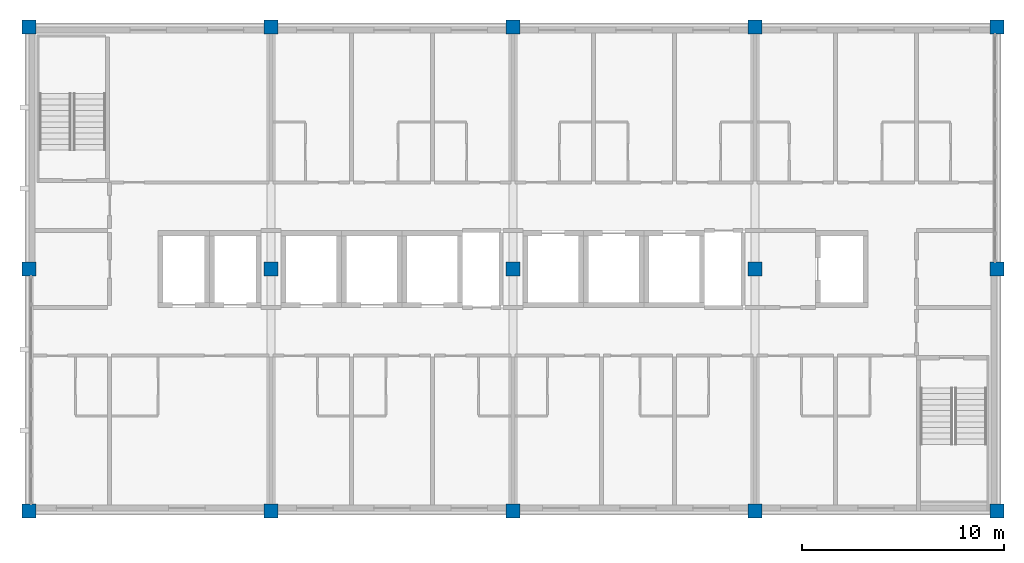
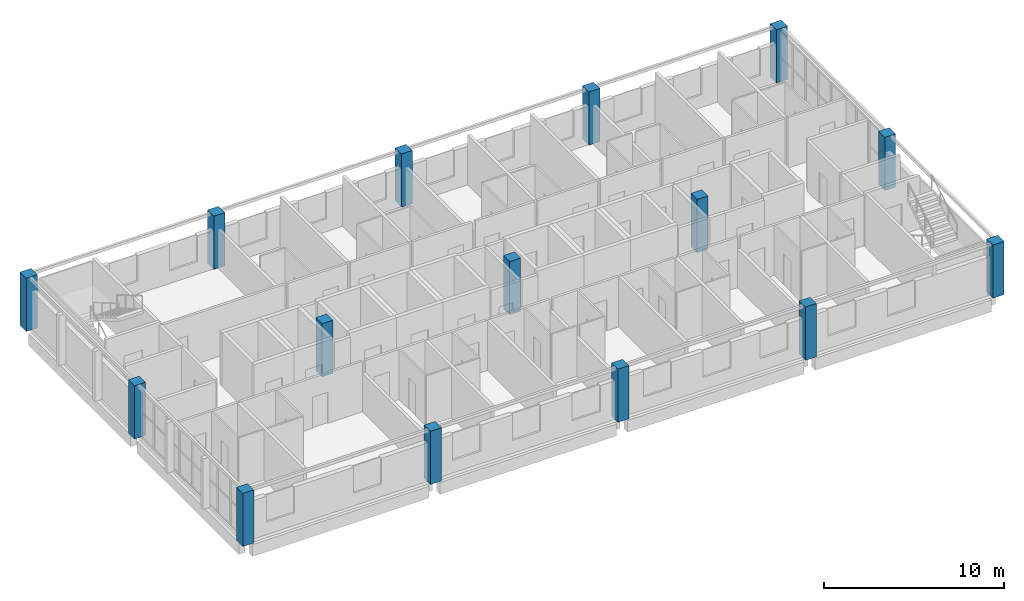
# One storey, part 1 of 11: 15 columns.
"""IFC4 building model written with IfcOpenShell, lengths in metres."""

from ifc_helpers import new_model, si_unit, direction, frame, origin, origin_2d, place, context, subcontext, project, spatial, rectangle, extrude, material, material_profile, profile_set, type_object, element, save


model = new_model("IFC4")

# Units and contexts
model_context = context("Model", 3, precision=1e-05, world=origin(), true_north=direction((0.0, 1.0)))
body_context = subcontext(model_context, "Body", "Model", "MODEL_VIEW")
ifc_project = project(units=[si_unit("LENGTHUNIT", "METRE"), si_unit("AREAUNIT", "SQUARE_METRE"), si_unit("VOLUMEUNIT", "CUBIC_METRE"), si_unit("PLANEANGLEUNIT", "RADIAN"), si_unit("MASSUNIT", "GRAM", prefix="KILO")], contexts=[model_context])

# Site, building, storey
site_placement = place(None, origin())
site = spatial("IfcSite", under=ifc_project, at=site_placement, CompositionType="ELEMENT")
building_placement = place(site_placement, origin())
building = spatial("IfcBuilding", under=site, at=building_placement, Name="Lilac Gate Convention Centre", CompositionType="ELEMENT")
storey_placement = place(building_placement, frame((0.0, 0.0, 53.39990234375)))
storey = spatial("IfcBuildingStorey", under=building, at=storey_placement, Name="L13", CompositionType="ELEMENT", Elevation=53.39990234375)

# Columns
ifc_material = material(Name="Concrete C40", Category="concrete")
ifc_material_profile = material_profile(ifc_material, rectangle(XDim=0.699951171875, YDim=0.699951171875, at=origin_2d()), Name="RC 700x700")
ifc_profile_set = profile_set([ifc_material_profile], Name="Concrete C40")
column_type = type_object("IfcColumnType", Name="RC tower column 700x700 C40", PredefinedType="COLUMN", material=ifc_profile_set)
for number, where, z_axis, x_axis, name in (
    (1, (42.0, 222.0, 0.0), (0.0, 0.0, 1.0), (1.0, 0.0, 0.0), "C7 L13 at 4/S"),
    (2, (42.0, 234.0, 0.0), (0.0, 0.0, 1.0), (1.0, 0.0, 0.0), "C7 L13 at 4/T"),
    (3, (42.0, 246.0, 0.0), (0.0, 0.0, 1.0), (1.0, 0.0, 0.0), "C7 L13 at 4/U"),
    (4, (54.0, 222.0, 0.0), (0.0, 0.0, 1.0), (1.0, 0.0, 0.0), "C7 L13 at 5/S"),
    (5, (54.0, 234.0, 0.0), (0.0, 0.0, 1.0), (1.0, 0.0, 0.0), "C7 L13 at 5/T"),
    (6, (54.0, 246.0, 0.0), (0.0, 0.0, 1.0), (1.0, 0.0, 0.0), "C7 L13 at 5/U"),
    (7, (66.0, 222.0, 0.0), (0.0, 0.0, 1.0), (1.0, 0.0, 0.0), "C7 L13 at 6/S"),
    (8, (66.0, 234.0, 0.0), (0.0, 0.0, 1.0), (1.0, 0.0, 0.0), "C7 L13 at 6/T"),
    (9, (66.0, 246.0, 0.0), (0.0, 0.0, 1.0), (1.0, 0.0, 0.0), "C7 L13 at 6/U"),
    (10, (78.0, 222.0, 0.0), (0.0, 0.0, 1.0), (1.0, 0.0, 0.0), "C7 L13 at 7/S"),
    (11, (78.0, 234.0, 0.0), (0.0, 0.0, 1.0), (1.0, 0.0, 0.0), "C7 L13 at 7/T"),
    (12, (78.0, 246.0, 0.0), (0.0, 0.0, 1.0), (1.0, 0.0, 0.0), "C7 L13 at 7/U"),
    (13, (90.0, 222.0, 0.0), (0.0, 0.0, 1.0), (1.0, 0.0, 0.0), "C7 L13 at 8/S"),
    (14, (90.0, 234.0, 0.0), (0.0, 0.0, 1.0), (1.0, 0.0, 0.0), "C7 L13 at 8/T"),
    (15, (90.0, 246.0, 0.0), (0.0, 0.0, 1.0), (1.0, 0.0, 0.0), "C7 L13 at 8/U"),
):
    element("IfcColumn", number, at=place(storey_placement, frame(where, z_axis=z_axis, x_axis=x_axis)), inside=storey, type_object=column_type, Name=name, PredefinedType="COLUMN", context=body_context, shape_type="SweptSolid", body=[
        extrude(rectangle(XDim=0.699951171875, YDim=0.699951171875, at=origin_2d()), origin(), (0.0, 0.0, 1.0), 3.60009765625),
    ])

save(model, "model.ifc")
